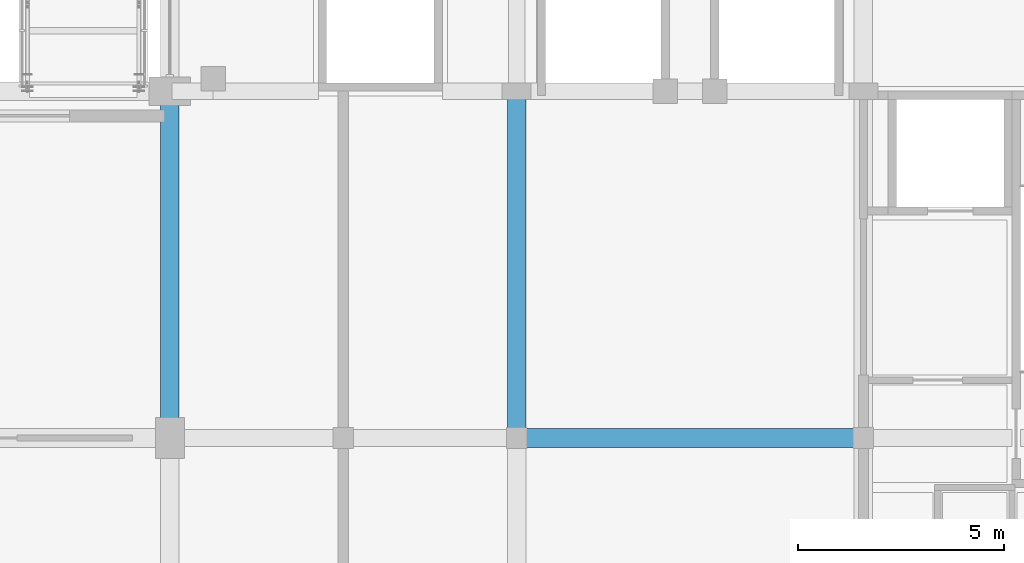
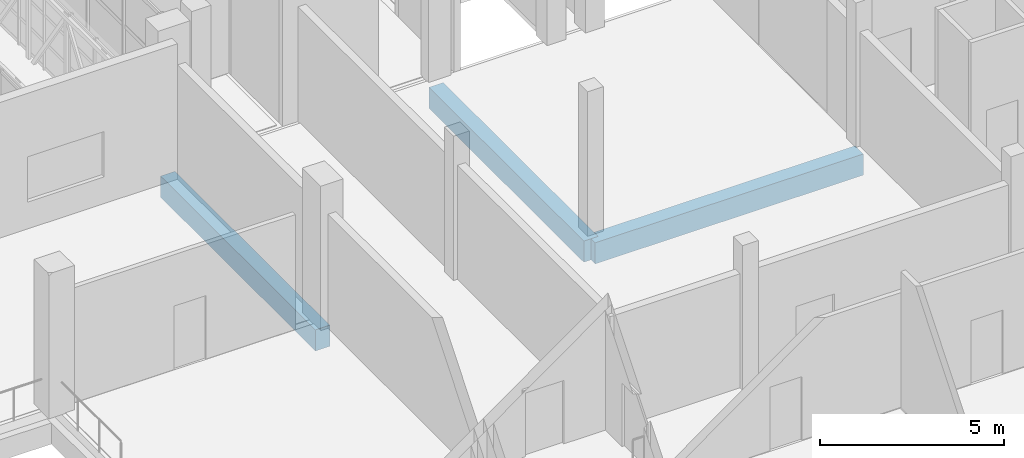
# One storey, part 7 of 86: 3 beams.
"""IFC4 building model written with IfcOpenShell, lengths in metres."""

from ifc_helpers import new_model, si_unit, direction, frame, origin, origin_2d, place, context, subcontext, project, spatial, rectangle, extrude, material, material_profile, profile_set, type_object, element, save


model = new_model("IFC4")

# Units and contexts
model_context = context("Model", 3, precision=1e-05, world=origin(), true_north=direction((0.0, 1.0)))
body_context = subcontext(model_context, "Body", "Model", "MODEL_VIEW")
ifc_project = project(units=[si_unit("LENGTHUNIT", "METRE"), si_unit("AREAUNIT", "SQUARE_METRE"), si_unit("VOLUMEUNIT", "CUBIC_METRE"), si_unit("PLANEANGLEUNIT", "RADIAN"), si_unit("MASSUNIT", "GRAM", prefix="KILO")], contexts=[model_context])

# Site, building, storey
site_placement = place(None, origin())
site = spatial("IfcSite", under=ifc_project, at=site_placement, CompositionType="ELEMENT")
building_placement = place(site_placement, origin())
building = spatial("IfcBuilding", under=site, at=building_placement, Name="Kiln Court Media Centre", CompositionType="ELEMENT")
storey_placement = place(building_placement, frame((0.0, 0.0, 10.199951171875)))
storey = spatial("IfcBuildingStorey", under=building, at=storey_placement, Name="L02", CompositionType="ELEMENT", Elevation=10.199951171875)

# Beams
ifc_material = material(Name="Concrete C30/37", Category="concrete")
ifc_material_profile = material_profile(ifc_material, rectangle(XDim=0.449951171875, YDim=0.699951171875, at=origin_2d()), Name="RC 450x700")
ifc_profile_set = profile_set([ifc_material_profile], Name="Concrete C30/37")
beam_type = type_object("IfcBeamType", Name="Concrete C30/37 beam 450x700", PredefinedType="BEAM", material=ifc_profile_set)
for number, where, z_axis, x_axis, name in (
    (1, (33.60009765625, 16.800048828125, -0.64990234375), (0.0, 1.0, 0.0), (-1.0, 0.0, 0.0), "L02-B-1009"),
    (2, (42.0, 16.800048828125, -0.64990234375), (0.0, 1.0, 0.0), (-1.0, 0.0, 0.0), "L02-B-1030"),
    (3, (42.0, 16.800048828125, -0.64990234375), (1.0, 0.0, 0.0), (0.0, 1.0, 0.0), "L02-B-1044"),
):
    element("IfcBeam", number, at=place(storey_placement, frame(where, z_axis=z_axis, x_axis=x_axis)), inside=storey, type_object=beam_type, Name=name, PredefinedType="BEAM", context=body_context, shape_type="SweptSolid", body=[
        extrude(rectangle(XDim=0.449951171875, YDim=0.699951171875, at=origin_2d()), origin(), (0.0, 0.0, 1.0), 8.39990234375),
    ])

save(model, "model.ifc")
